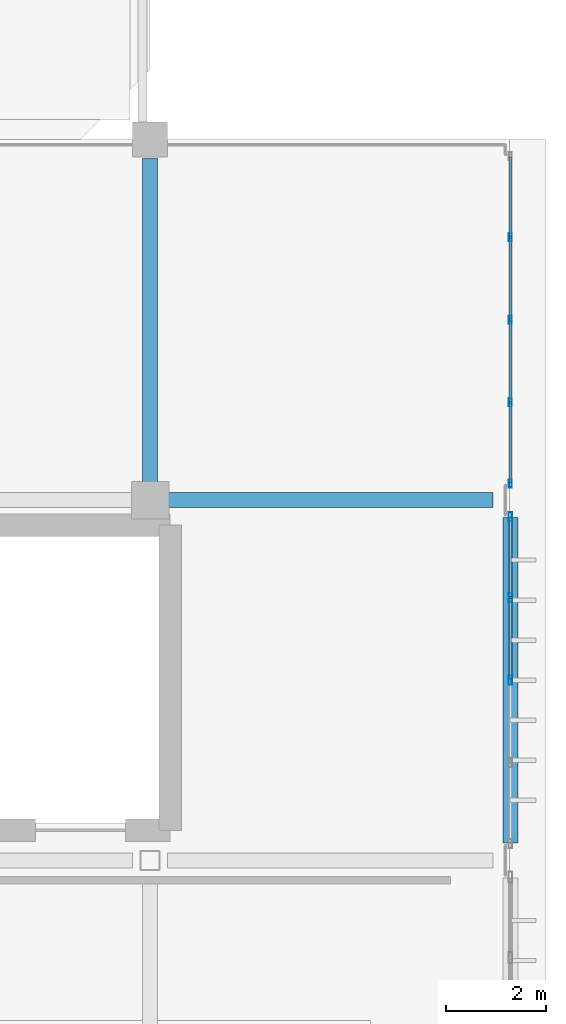
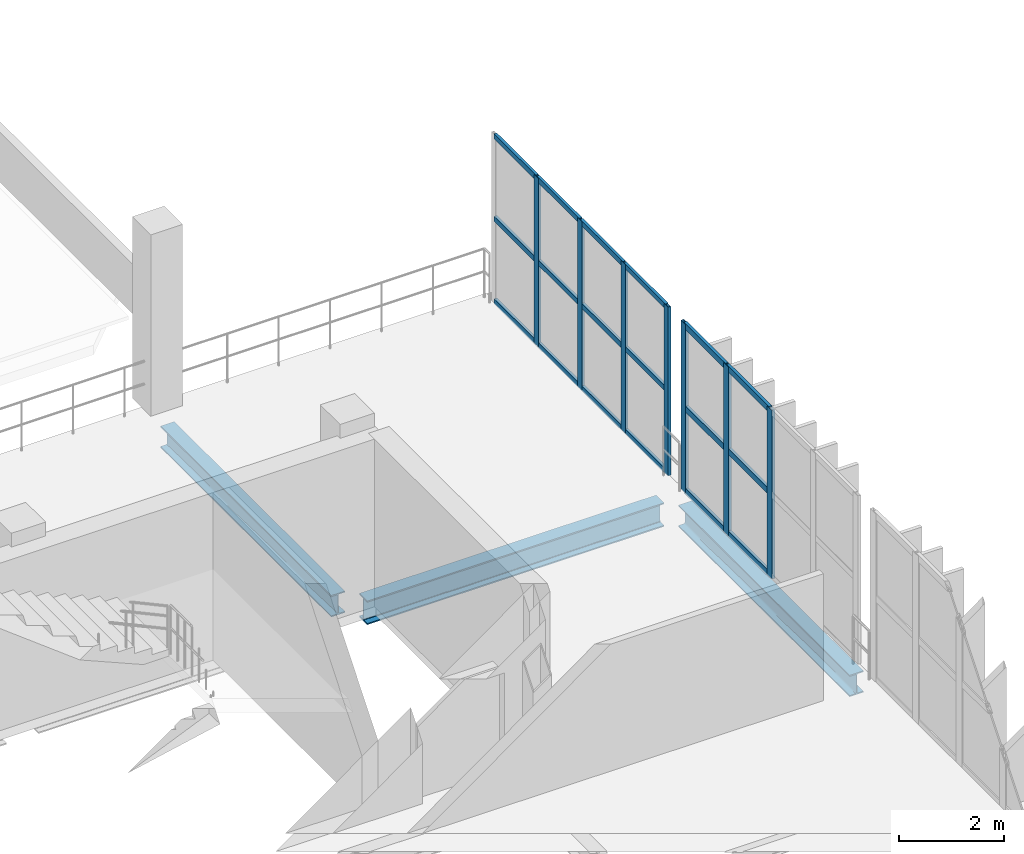
# One storey, part 82 of 130: 25 members, 3 beams, 2 elements without a shape of their own.
"""IFC4 building model written with IfcOpenShell, lengths in metres."""

from ifc_helpers import new_model, si_unit, direction, frame, origin, origin_2d, place, context, subcontext, project, spatial, hollow_rectangle, i_section, extrude, material, material_profile, profile_set, type_object, element, aggregate, save


model = new_model("IFC4")

# Units and contexts
model_context = context("Model", 3, precision=1e-05, world=origin(), true_north=direction((0.0, 1.0)))
body_context = subcontext(model_context, "Body", "Model", "MODEL_VIEW")
ifc_project = project(units=[si_unit("LENGTHUNIT", "METRE"), si_unit("AREAUNIT", "SQUARE_METRE"), si_unit("VOLUMEUNIT", "CUBIC_METRE"), si_unit("PLANEANGLEUNIT", "RADIAN"), si_unit("MASSUNIT", "GRAM", prefix="KILO")], contexts=[model_context])

# Site, building, storey
site_placement = place(None, origin())
site = spatial("IfcSite", under=ifc_project, at=site_placement, CompositionType="ELEMENT")
building_placement = place(site_placement, origin())
building = spatial("IfcBuilding", under=site, at=building_placement, Name="Qandorah Velis Arena", CompositionType="ELEMENT")
storey_placement = place(building_placement, frame((0.0, 0.0, 9.60009765625)))
storey = spatial("IfcBuildingStorey", under=building, at=storey_placement, Name="L02", CompositionType="ELEMENT", Elevation=9.60009765625)

# Curtain wall, members
ifc_material_1 = material(Name="Solar-control low-E double glazing", Category="glass")
curtain_wall_type_1 = type_object("IfcCurtainWallType", Name="ARC-CW-SYS07", PredefinedType="USERDEFINED", material=ifc_material_1)
curtain_wall_1_placement = place(storey_placement, origin())
curtain_wall_1 = element("IfcCurtainWall", 1, at=curtain_wall_1_placement, inside=storey, type_object=curtain_wall_type_1, Name="Unitised curtain wall L02-151", ObjectType="UNITISED CURTAIN WALL", PredefinedType="USERDEFINED")
ifc_material_2 = material(Name="Champagne-bronze anodized aluminium 6063-T6", Category="aluminium")
ifc_material_profile_1 = material_profile(ifc_material_2, hollow_rectangle(XDim=0.06005859375, YDim=0.159912109375, WallThickness=0.00341796875, at=origin_2d()), Name="ALU MULLION 60x160")
ifc_profile_set_1 = profile_set([ifc_material_profile_1], Name="Champagne-bronze anodized aluminium 6063-T6")
member_type_1 = type_object("IfcMemberType", Name="ARC-CWM-160", PredefinedType="MULLION", material=ifc_profile_set_1)
member_1_placement = place(storey_placement, frame((172.800048828125, 86.72998046875, -0.01513671875), z_axis=(0.0, 0.0, 1.0), x_axis=(-1.0, 0.0, 0.0)))
member_1 = element("IfcMember", 2, at=member_1_placement, type_object=member_type_1, Name="CW07 mullion 1", PredefinedType="MULLION", context=body_context, shape_type="SweptSolid", body=[
    extrude(hollow_rectangle(XDim=0.06005859375, YDim=0.159912109375, WallThickness=0.00341796875, at=origin_2d()), origin(), (0.0, 0.0, 1.0), 3.91015625),
])
member_2_placement = place(storey_placement, frame((172.800048828125, 88.35009765625, -0.01513671875), z_axis=(0.0, 0.0, 1.0), x_axis=(-1.0, 0.0, 0.0)))
member_2 = element("IfcMember", 3, at=member_2_placement, type_object=member_type_1, Name="CW07 mullion 2", PredefinedType="MULLION", context=body_context, shape_type="SweptSolid", body=[
    extrude(hollow_rectangle(XDim=0.06005859375, YDim=0.159912109375, WallThickness=0.00341796875, at=origin_2d()), origin(), (0.0, 0.0, 1.0), 3.91015625),
])
member_3_placement = place(storey_placement, frame((172.800048828125, 90.0, -0.01513671875), z_axis=(0.0, 0.0, 1.0), x_axis=(-1.0, 0.0, 0.0)))
member_3 = element("IfcMember", 4, at=member_3_placement, type_object=member_type_1, Name="CW07 mullion 3", PredefinedType="MULLION", context=body_context, shape_type="SweptSolid", body=[
    extrude(hollow_rectangle(XDim=0.06005859375, YDim=0.159912109375, WallThickness=0.00341796875, at=origin_2d()), origin(), (0.0, 0.0, 1.0), 3.91015625),
])
member_4_placement = place(storey_placement, frame((172.800048828125, 91.64990234375, -0.01513671875), z_axis=(0.0, 0.0, 1.0), x_axis=(-1.0, 0.0, 0.0)))
member_4 = element("IfcMember", 5, at=member_4_placement, type_object=member_type_1, Name="CW07 mullion 4", PredefinedType="MULLION", context=body_context, shape_type="SweptSolid", body=[
    extrude(hollow_rectangle(XDim=0.06005859375, YDim=0.159912109375, WallThickness=0.00341796875, at=origin_2d()), origin(), (0.0, 0.0, 1.0), 3.91015625),
])

curtain_wall_type_2 = type_object("IfcCurtainWallType", Name="ARC-CW-SYS06", PredefinedType="USERDEFINED", material=ifc_material_1)
curtain_wall_2_placement = place(storey_placement, origin())
curtain_wall_2 = element("IfcCurtainWall", 6, at=curtain_wall_2_placement, inside=storey, type_object=curtain_wall_type_2, Name="Unitised curtain wall L02-150", ObjectType="UNITISED CURTAIN WALL", PredefinedType="USERDEFINED")
ifc_material_profile_2 = material_profile(ifc_material_2, hollow_rectangle(XDim=0.06494140625, YDim=0.179931640625, WallThickness=0.00341796875, at=origin_2d()), Name="ALU MULLION 65x180")
ifc_profile_set_2 = profile_set([ifc_material_profile_2], Name="Champagne-bronze anodized aluminium 6063-T6")
member_type_2 = type_object("IfcMemberType", Name="ARC-CWM-180", PredefinedType="MULLION", material=ifc_profile_set_2)
member_5_placement = place(storey_placement, frame((172.800048828125, 82.800048828125, -0.01513671875), z_axis=(0.0, 0.0, 1.0), x_axis=(-1.0, 0.0, 0.0)))
member_5 = element("IfcMember", 7, at=member_5_placement, type_object=member_type_2, Name="CW06 mullion 3", PredefinedType="MULLION", context=body_context, shape_type="SweptSolid", body=[
    extrude(hollow_rectangle(XDim=0.06494140625, YDim=0.179931640625, WallThickness=0.00341796875, at=origin_2d()), origin(), (0.0, 0.0, 1.0), 3.91015625),
])
member_6_placement = place(storey_placement, frame((172.800048828125, 84.449951171875, -0.01513671875), z_axis=(0.0, 0.0, 1.0), x_axis=(-1.0, 0.0, 0.0)))
member_6 = element("IfcMember", 8, at=member_6_placement, type_object=member_type_2, Name="CW06 mullion 4", PredefinedType="MULLION", context=body_context, shape_type="SweptSolid", body=[
    extrude(hollow_rectangle(XDim=0.06494140625, YDim=0.179931640625, WallThickness=0.00341796875, at=origin_2d()), origin(), (0.0, 0.0, 1.0), 3.91015625),
])
member_7_placement = place(storey_placement, frame((172.800048828125, 86.0673828125, -0.01513671875), z_axis=(0.0, 0.0, 1.0), x_axis=(-1.0, 0.0, 0.0)))
member_7 = element("IfcMember", 9, at=member_7_placement, type_object=member_type_2, Name="CW06 mullion 5", PredefinedType="MULLION", context=body_context, shape_type="SweptSolid", body=[
    extrude(hollow_rectangle(XDim=0.06494140625, YDim=0.179931640625, WallThickness=0.00341796875, at=origin_2d()), origin(), (0.0, 0.0, 1.0), 3.91015625),
])

# Member
ifc_material_profile_3 = material_profile(ifc_material_2, hollow_rectangle(XDim=0.06005859375, YDim=0.1201171875, WallThickness=0.0029296875, at=origin_2d()), Name="ALU TRANSOM 60x120")
ifc_profile_set_3 = profile_set([ifc_material_profile_3], Name="Champagne-bronze anodized aluminium 6063-T6")
member_type_3 = type_object("IfcMemberType", Name="ARC-CWT-120", PredefinedType="USERDEFINED", material=ifc_profile_set_3)
member_8_placement = place(storey_placement, frame((172.800048828125, 86.748046875, 0.02978515625), z_axis=(0.0, 1.0, 0.0), x_axis=(-1.0, 0.0, 0.0)))
member_8 = element("IfcMember", 10, at=member_8_placement, type_object=member_type_3, Name="CW07 transom 1.1", ObjectType="TRANSOM", PredefinedType="USERDEFINED", context=body_context, shape_type="SweptSolid", body=[
    extrude(hollow_rectangle(XDim=0.06005859375, YDim=0.1201171875, WallThickness=0.0029296875, at=origin_2d()), origin(), (0.0, 0.0, 1.0), 1.583984375),
])

member_9_placement = place(storey_placement, frame((172.800048828125, 86.748046875, 1.93994140625), z_axis=(0.0, 1.0, 0.0), x_axis=(-1.0, 0.0, 0.0)))
member_9 = element("IfcMember", 11, at=member_9_placement, type_object=member_type_3, Name="CW07 transom 1.2", ObjectType="TRANSOM", PredefinedType="USERDEFINED", context=body_context, shape_type="SweptSolid", body=[
    extrude(hollow_rectangle(XDim=0.06005859375, YDim=0.1201171875, WallThickness=0.0029296875, at=origin_2d()), origin(), (0.0, 0.0, 1.0), 1.583984375),
])

member_10_placement = place(storey_placement, frame((172.800048828125, 86.748046875, 3.849853515625), z_axis=(0.0, 1.0, 0.0), x_axis=(-1.0, 0.0, 0.0)))
member_10 = element("IfcMember", 12, at=member_10_placement, type_object=member_type_3, Name="CW07 transom 1.3", ObjectType="TRANSOM", PredefinedType="USERDEFINED", context=body_context, shape_type="SweptSolid", body=[
    extrude(hollow_rectangle(XDim=0.06005859375, YDim=0.1201171875, WallThickness=0.0029296875, at=origin_2d()), origin(), (0.0, 0.0, 1.0), 1.583984375),
])

member_11_placement = place(storey_placement, frame((172.800048828125, 88.367919921875, 0.02978515625), z_axis=(0.0, 1.0, 0.0), x_axis=(-1.0, 0.0, 0.0)))
member_11 = element("IfcMember", 13, at=member_11_placement, type_object=member_type_3, Name="CW07 transom 2.1", ObjectType="TRANSOM", PredefinedType="USERDEFINED", context=body_context, shape_type="SweptSolid", body=[
    extrude(hollow_rectangle(XDim=0.06005859375, YDim=0.1201171875, WallThickness=0.0029296875, at=origin_2d()), origin(), (0.0, 0.0, 1.0), 1.614013671875),
])

member_12_placement = place(storey_placement, frame((172.800048828125, 88.367919921875, 1.93994140625), z_axis=(0.0, 1.0, 0.0), x_axis=(-1.0, 0.0, 0.0)))
member_12 = element("IfcMember", 14, at=member_12_placement, type_object=member_type_3, Name="CW07 transom 2.2", ObjectType="TRANSOM", PredefinedType="USERDEFINED", context=body_context, shape_type="SweptSolid", body=[
    extrude(hollow_rectangle(XDim=0.06005859375, YDim=0.1201171875, WallThickness=0.0029296875, at=origin_2d()), origin(), (0.0, 0.0, 1.0), 1.614013671875),
])

member_13_placement = place(storey_placement, frame((172.800048828125, 88.367919921875, 3.849853515625), z_axis=(0.0, 1.0, 0.0), x_axis=(-1.0, 0.0, 0.0)))
member_13 = element("IfcMember", 15, at=member_13_placement, type_object=member_type_3, Name="CW07 transom 2.3", ObjectType="TRANSOM", PredefinedType="USERDEFINED", context=body_context, shape_type="SweptSolid", body=[
    extrude(hollow_rectangle(XDim=0.06005859375, YDim=0.1201171875, WallThickness=0.0029296875, at=origin_2d()), origin(), (0.0, 0.0, 1.0), 1.614013671875),
])

member_14_placement = place(storey_placement, frame((172.800048828125, 90.01806640625, 0.02978515625), z_axis=(0.0, 1.0, 0.0), x_axis=(-1.0, 0.0, 0.0)))
member_14 = element("IfcMember", 16, at=member_14_placement, type_object=member_type_3, Name="CW07 transom 3.1", ObjectType="TRANSOM", PredefinedType="USERDEFINED", context=body_context, shape_type="SweptSolid", body=[
    extrude(hollow_rectangle(XDim=0.06005859375, YDim=0.1201171875, WallThickness=0.0029296875, at=origin_2d()), origin(), (0.0, 0.0, 1.0), 1.614013671875),
])

member_15_placement = place(storey_placement, frame((172.800048828125, 90.01806640625, 1.93994140625), z_axis=(0.0, 1.0, 0.0), x_axis=(-1.0, 0.0, 0.0)))
member_15 = element("IfcMember", 17, at=member_15_placement, type_object=member_type_3, Name="CW07 transom 3.2", ObjectType="TRANSOM", PredefinedType="USERDEFINED", context=body_context, shape_type="SweptSolid", body=[
    extrude(hollow_rectangle(XDim=0.06005859375, YDim=0.1201171875, WallThickness=0.0029296875, at=origin_2d()), origin(), (0.0, 0.0, 1.0), 1.614013671875),
])

member_16_placement = place(storey_placement, frame((172.800048828125, 90.01806640625, 3.849853515625), z_axis=(0.0, 1.0, 0.0), x_axis=(-1.0, 0.0, 0.0)))
member_16 = element("IfcMember", 18, at=member_16_placement, type_object=member_type_3, Name="CW07 transom 3.3", ObjectType="TRANSOM", PredefinedType="USERDEFINED", context=body_context, shape_type="SweptSolid", body=[
    extrude(hollow_rectangle(XDim=0.06005859375, YDim=0.1201171875, WallThickness=0.0029296875, at=origin_2d()), origin(), (0.0, 0.0, 1.0), 1.614013671875),
])

member_17_placement = place(storey_placement, frame((172.800048828125, 91.66796875, 0.02978515625), z_axis=(0.0, 1.0, 0.0), x_axis=(-1.0, 0.0, 0.0)))
member_17 = element("IfcMember", 19, at=member_17_placement, type_object=member_type_3, Name="CW07 transom 4.1", ObjectType="TRANSOM", PredefinedType="USERDEFINED", context=body_context, shape_type="SweptSolid", body=[
    extrude(hollow_rectangle(XDim=0.06005859375, YDim=0.1201171875, WallThickness=0.0029296875, at=origin_2d()), origin(), (0.0, 0.0, 1.0), 1.583984375),
])

member_18_placement = place(storey_placement, frame((172.800048828125, 91.66796875, 1.93994140625), z_axis=(0.0, 1.0, 0.0), x_axis=(-1.0, 0.0, 0.0)))
member_18 = element("IfcMember", 20, at=member_18_placement, type_object=member_type_3, Name="CW07 transom 4.2", ObjectType="TRANSOM", PredefinedType="USERDEFINED", context=body_context, shape_type="SweptSolid", body=[
    extrude(hollow_rectangle(XDim=0.06005859375, YDim=0.1201171875, WallThickness=0.0029296875, at=origin_2d()), origin(), (0.0, 0.0, 1.0), 1.583984375),
])

member_19_placement = place(storey_placement, frame((172.800048828125, 91.66796875, 3.849853515625), z_axis=(0.0, 1.0, 0.0), x_axis=(-1.0, 0.0, 0.0)))
member_19 = element("IfcMember", 21, at=member_19_placement, type_object=member_type_3, Name="CW07 transom 4.3", ObjectType="TRANSOM", PredefinedType="USERDEFINED", context=body_context, shape_type="SweptSolid", body=[
    extrude(hollow_rectangle(XDim=0.06005859375, YDim=0.1201171875, WallThickness=0.0029296875, at=origin_2d()), origin(), (0.0, 0.0, 1.0), 1.583984375),
])

aggregate(curtain_wall_1, [member_1, member_2, member_3, member_4, member_8, member_9, member_10, member_11, member_12, member_13, member_14, member_15, member_16, member_17, member_18, member_19])

ifc_material_profile_4 = material_profile(ifc_material_2, hollow_rectangle(XDim=0.06494140625, YDim=0.139892578125, WallThickness=0.0029296875, at=origin_2d()), Name="ALU TRANSOM 65x140")
ifc_profile_set_4 = profile_set([ifc_material_profile_4], Name="Champagne-bronze anodized aluminium 6063-T6")
member_type_4 = type_object("IfcMemberType", Name="ARC-CWT-140", PredefinedType="USERDEFINED", material=ifc_profile_set_4)
member_20_placement = place(storey_placement, frame((172.800048828125, 82.820556640625, 0.032470703125), z_axis=(0.0, 1.0, 0.0), x_axis=(-1.0, 0.0, 0.0)))
member_20 = element("IfcMember", 22, at=member_20_placement, type_object=member_type_4, Name="CW06 transom 3.1", ObjectType="TRANSOM", PredefinedType="USERDEFINED", context=body_context, shape_type="SweptSolid", body=[
    extrude(hollow_rectangle(XDim=0.06494140625, YDim=0.139892578125, WallThickness=0.0029296875, at=origin_2d()), origin(), (0.0, 0.0, 1.0), 1.60888671875),
])

member_21_placement = place(storey_placement, frame((172.800048828125, 82.820556640625, 1.93994140625), z_axis=(0.0, 1.0, 0.0), x_axis=(-1.0, 0.0, 0.0)))
member_21 = element("IfcMember", 23, at=member_21_placement, type_object=member_type_4, Name="CW06 transom 3.2", ObjectType="TRANSOM", PredefinedType="USERDEFINED", context=body_context, shape_type="SweptSolid", body=[
    extrude(hollow_rectangle(XDim=0.06494140625, YDim=0.139892578125, WallThickness=0.0029296875, at=origin_2d()), origin(), (0.0, 0.0, 1.0), 1.60888671875),
])

member_22_placement = place(storey_placement, frame((172.800048828125, 82.820556640625, 3.847412109375), z_axis=(0.0, 1.0, 0.0), x_axis=(-1.0, 0.0, 0.0)))
member_22 = element("IfcMember", 24, at=member_22_placement, type_object=member_type_4, Name="CW06 transom 3.3", ObjectType="TRANSOM", PredefinedType="USERDEFINED", context=body_context, shape_type="SweptSolid", body=[
    extrude(hollow_rectangle(XDim=0.06494140625, YDim=0.139892578125, WallThickness=0.0029296875, at=origin_2d()), origin(), (0.0, 0.0, 1.0), 1.60888671875),
])

member_23_placement = place(storey_placement, frame((172.800048828125, 84.470458984375, 0.032470703125), z_axis=(0.0, 1.0, 0.0), x_axis=(-1.0, 0.0, 0.0)))
member_23 = element("IfcMember", 25, at=member_23_placement, type_object=member_type_4, Name="CW06 transom 4.1", ObjectType="TRANSOM", PredefinedType="USERDEFINED", context=body_context, shape_type="SweptSolid", body=[
    extrude(hollow_rectangle(XDim=0.06494140625, YDim=0.139892578125, WallThickness=0.0029296875, at=origin_2d()), origin(), (0.0, 0.0, 1.0), 1.57666015625),
])

member_24_placement = place(storey_placement, frame((172.800048828125, 84.470458984375, 1.93994140625), z_axis=(0.0, 1.0, 0.0), x_axis=(-1.0, 0.0, 0.0)))
member_24 = element("IfcMember", 26, at=member_24_placement, type_object=member_type_4, Name="CW06 transom 4.2", ObjectType="TRANSOM", PredefinedType="USERDEFINED", context=body_context, shape_type="SweptSolid", body=[
    extrude(hollow_rectangle(XDim=0.06494140625, YDim=0.139892578125, WallThickness=0.0029296875, at=origin_2d()), origin(), (0.0, 0.0, 1.0), 1.57666015625),
])

member_25_placement = place(storey_placement, frame((172.800048828125, 84.470458984375, 3.847412109375), z_axis=(0.0, 1.0, 0.0), x_axis=(-1.0, 0.0, 0.0)))
member_25 = element("IfcMember", 27, at=member_25_placement, type_object=member_type_4, Name="CW06 transom 4.3", ObjectType="TRANSOM", PredefinedType="USERDEFINED", context=body_context, shape_type="SweptSolid", body=[
    extrude(hollow_rectangle(XDim=0.06494140625, YDim=0.139892578125, WallThickness=0.0029296875, at=origin_2d()), origin(), (0.0, 0.0, 1.0), 1.57666015625),
])

aggregate(curtain_wall_2, [member_5, member_6, member_7, member_20, member_21, member_22, member_23, member_24, member_25])

# Beams
ifc_material_3 = material(Name="Steel S355", Category="steel")
ifc_material_profile_5 = material_profile(ifc_material_3, i_section(OverallWidth=0.300048828125, OverallDepth=0.5, WebThickness=0.014404296875, FlangeThickness=0.028076171875, FilletRadius=0.027099609375, at=origin_2d()), Name="HEB 500")
ifc_profile_set_5 = profile_set([ifc_material_profile_5], Name="Steel S355")
beam_type_1 = type_object("IfcBeamType", Name="STR-BM-HEB500", PredefinedType="BEAM", material=ifc_profile_set_5)
beam_1_placement = place(storey_placement, frame((165.60009765625, 86.75, -0.530029296875), z_axis=(0.0, 1.0, 0.0), x_axis=(-1.0, 0.0, 0.0)))
element("IfcBeam", 28, at=beam_1_placement, inside=storey, type_object=beam_type_1, Name="Primary floor girder L02 Y-344", PredefinedType="BEAM", context=body_context, shape_type="SweptSolid", body=[
    extrude(i_section(OverallWidth=0.300048828125, OverallDepth=0.5, WebThickness=0.014404296875, FlangeThickness=0.028076171875, FilletRadius=0.027099609375, at=origin_2d()), origin(), (0.0, 0.0, 1.0), 6.47509765625),
])
beam_2_placement = place(storey_placement, frame((172.800048828125, 79.550048828125, -0.530029296875), z_axis=(0.0, 1.0, 0.0), x_axis=(-1.0, 0.0, 0.0)))
element("IfcBeam", 29, at=beam_2_placement, inside=storey, type_object=beam_type_1, Name="Primary floor girder L02 Y-350", PredefinedType="BEAM", context=body_context, shape_type="SweptSolid", body=[
    extrude(i_section(OverallWidth=0.300048828125, OverallDepth=0.5, WebThickness=0.014404296875, FlangeThickness=0.028076171875, FilletRadius=0.027099609375, at=origin_2d()), origin(), (0.0, 0.0, 1.0), 6.5),
])
ifc_material_profile_6 = material_profile(ifc_material_3, i_section(OverallWidth=0.300048828125, OverallDepth=0.550048828125, WebThickness=0.014892578125, FlangeThickness=0.029052734375, FilletRadius=0.027099609375, at=origin_2d()), Name="HEB 550")
ifc_profile_set_6 = profile_set([ifc_material_profile_6], Name="Steel S355")
beam_type_2 = type_object("IfcBeamType", Name="STR-BM-HEB550", PredefinedType="BEAM", material=ifc_profile_set_6)
beam_3_placement = place(storey_placement, frame((165.949951171875, 86.39990234375, -0.55517578125), z_axis=(1.0, 0.0, 0.0), x_axis=(0.0, 1.0, 0.0)))
element("IfcBeam", 30, at=beam_3_placement, inside=storey, type_object=beam_type_2, Name="Primary floor girder L02 X-116", PredefinedType="BEAM", context=body_context, shape_type="SweptSolid", body=[
    extrude(i_section(OverallWidth=0.300048828125, OverallDepth=0.550048828125, WebThickness=0.014892578125, FlangeThickness=0.029052734375, FilletRadius=0.027099609375, at=origin_2d()), origin(), (0.0, 0.0, 1.0), 6.5),
])

save(model, "model.ifc")
